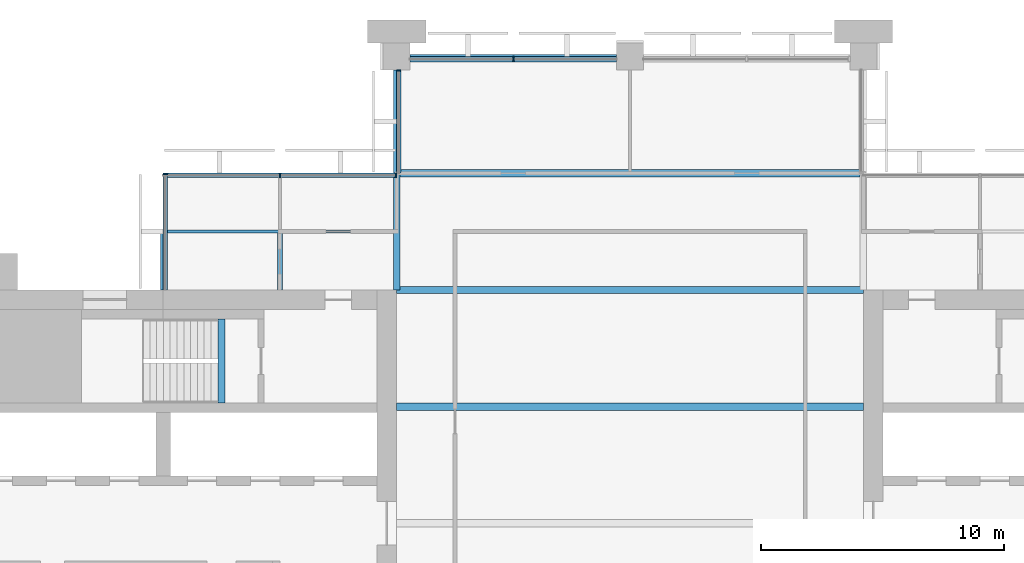
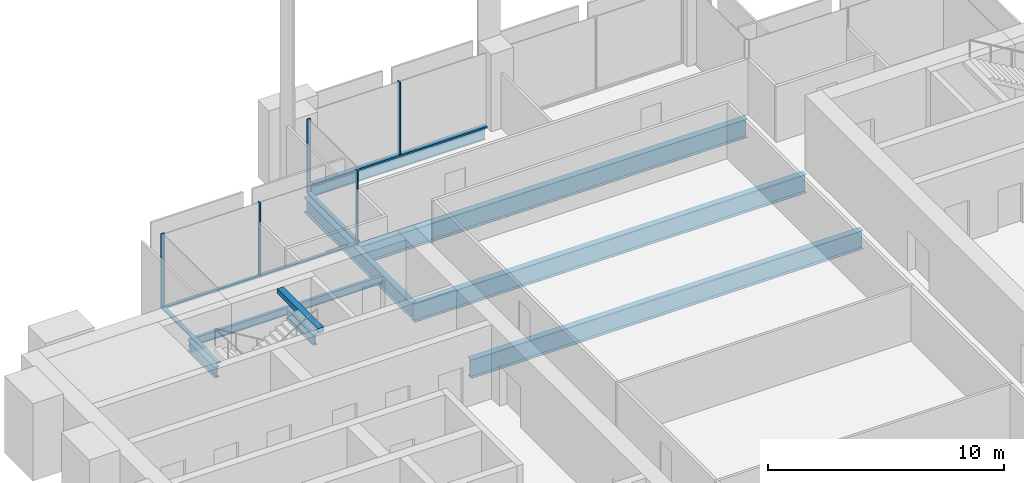
# One storey, part 5 of 13: 9 beams, 9 members, 4 elements without a shape of their own.
"""IFC4 building model written with IfcOpenShell, lengths in metres."""

from ifc_helpers import new_model, si_unit, direction, frame, origin, origin_2d, place, context, subcontext, project, spatial, rectangle, i_section, extrude, material, material_profile, profile_set, type_object, element, aggregate, save


model = new_model("IFC4")

# Units and contexts
model_context = context("Model", 3, precision=1e-05, world=origin(), true_north=direction((0.0, 1.0)))
body_context = subcontext(model_context, "Body", "Model", "MODEL_VIEW")
ifc_project = project(units=[si_unit("LENGTHUNIT", "METRE"), si_unit("AREAUNIT", "SQUARE_METRE"), si_unit("VOLUMEUNIT", "CUBIC_METRE"), si_unit("PLANEANGLEUNIT", "RADIAN"), si_unit("MASSUNIT", "GRAM", prefix="KILO")], contexts=[model_context])

# Site, building, storey
site_placement = place(None, origin())
site = spatial("IfcSite", under=ifc_project, at=site_placement, CompositionType="ELEMENT")
building_placement = place(site_placement, origin())
building = spatial("IfcBuilding", under=site, at=building_placement, Name="Baori Bourse Tower", CompositionType="ELEMENT")
storey_placement = place(building_placement, frame((0.0, 0.0, 249.199951171875)))
storey = spatial("IfcBuildingStorey", under=building, at=storey_placement, Name="L55", CompositionType="ELEMENT", Elevation=249.199951171875)

# Curtain wall, member
ifc_material_1 = material(Name="Pale anodised aluminium", Category="aluminium")
curtain_wall_type_1 = type_object("IfcCurtainWallType", Name="CW2 Curtain wall", PredefinedType="NOTDEFINED", material=ifc_material_1)
curtain_wall_1_placement = place(storey_placement, origin())
curtain_wall_1 = element("IfcCurtainWall", 1, at=curtain_wall_1_placement, inside=storey, type_object=curtain_wall_type_1, Name="Curtain wall CW2 L55 5", PredefinedType="NOTDEFINED")
ifc_material_2 = material(Name="Pale anodised aluminium", Category="aluminium")
ifc_material_profile_1 = material_profile(ifc_material_2, rectangle(XDim=0.179931640625, YDim=0.054931640625, at=origin_2d()), Name="Mullion 55x180")
ifc_profile_set_1 = profile_set([ifc_material_profile_1], Name="Pale anodised aluminium")
member_type_1 = type_object("IfcMemberType", Name="CW2 Curtain wall mullion", PredefinedType="MULLION", material=ifc_profile_set_1)
member_1_placement = place(storey_placement, frame((19.2900390625, 47.422607421875, 0.070068359375), z_axis=(0.0, 0.0, 1.0), x_axis=(1.0, 0.0, 0.0)))
member_1 = element("IfcMember", 2, at=member_1_placement, type_object=member_type_1, Name="Curtain wall CW2 mullion", PredefinedType="MULLION", context=body_context, shape_type="SweptSolid", body=[
    extrude(rectangle(XDim=0.179931640625, YDim=0.054931640625, at=origin_2d()), origin(), (0.0, 0.0, 1.0), 3.77001953125),
])

# Curtain wall, members
curtain_wall_2_placement = place(storey_placement, origin())
curtain_wall_2 = element("IfcCurtainWall", 3, at=curtain_wall_2_placement, inside=storey, type_object=curtain_wall_type_1, Name="Curtain wall CW2 L55 6", PredefinedType="NOTDEFINED")
member_2_placement = place(storey_placement, frame((19.172607421875, 43.110107421875, 0.070068359375), z_axis=(0.0, 0.0, 1.0), x_axis=(0.0, -1.0, 0.0)))
member_2 = element("IfcMember", 4, at=member_2_placement, type_object=member_type_1, Name="Curtain wall CW2 mullion", PredefinedType="MULLION", context=body_context, shape_type="SweptSolid", body=[
    extrude(rectangle(XDim=0.179931640625, YDim=0.054931640625, at=origin_2d()), origin(), (0.0, 0.0, 1.0), 3.77001953125),
])
member_3_placement = place(storey_placement, frame((14.39990234375, 43.110107421875, 0.070068359375), z_axis=(0.0, 0.0, 1.0), x_axis=(0.0, -1.0, 0.0)))
member_3 = element("IfcMember", 5, at=member_3_placement, type_object=member_type_1, Name="Curtain wall CW2 mullion", PredefinedType="MULLION", context=body_context, shape_type="SweptSolid", body=[
    extrude(rectangle(XDim=0.179931640625, YDim=0.054931640625, at=origin_2d()), origin(), (0.0, 0.0, 1.0), 3.77001953125),
])

# Curtain wall, member
curtain_wall_3_placement = place(storey_placement, origin())
curtain_wall_3 = element("IfcCurtainWall", 6, at=curtain_wall_3_placement, inside=storey, type_object=curtain_wall_type_1, Name="Curtain wall CW2 L55 7", PredefinedType="NOTDEFINED")
member_4_placement = place(storey_placement, frame((9.68994140625, 43.172607421875, 0.070068359375), z_axis=(0.0, 0.0, 1.0), x_axis=(1.0, 0.0, 0.0)))
member_4 = element("IfcMember", 7, at=member_4_placement, type_object=member_type_1, Name="Curtain wall CW2 mullion", PredefinedType="MULLION", context=body_context, shape_type="SweptSolid", body=[
    extrude(rectangle(XDim=0.179931640625, YDim=0.054931640625, at=origin_2d()), origin(), (0.0, 0.0, 1.0), 3.77001953125),
])

# Member
ifc_material_3 = material(Name="Pale anodised aluminium", Category="aluminium")
ifc_material_profile_2 = material_profile(ifc_material_3, rectangle(XDim=0.179931640625, YDim=0.070068359375, at=origin_2d()), Name="Transom 70x180")
ifc_profile_set_2 = profile_set([ifc_material_profile_2], Name="Pale anodised aluminium")
member_type_2 = type_object("IfcMemberType", Name="CW2 Curtain wall transom", PredefinedType="USERDEFINED", material=ifc_profile_set_2)
member_5_placement = place(storey_placement, frame((19.2900390625, 47.449951171875, 0.03515625), z_axis=(0.0, -1.0, 0.0), x_axis=(1.0, 0.0, 0.0)))
member_5 = element("IfcMember", 8, at=member_5_placement, type_object=member_type_2, Name="Curtain wall CW2 sill rail", ObjectType="TRANSOM", PredefinedType="USERDEFINED", context=body_context, shape_type="SweptSolid", body=[
    extrude(rectangle(XDim=0.179931640625, YDim=0.070068359375, at=origin_2d()), origin(), (0.0, 0.0, 1.0), 4.25),
])

aggregate(curtain_wall_1, [member_5, member_1])

member_6_placement = place(storey_placement, frame((19.199951171875, 43.110107421875, 0.03515625), z_axis=(-1.0, 0.0, 0.0), x_axis=(0.0, -1.0, 0.0)))
member_6 = element("IfcMember", 9, at=member_6_placement, type_object=member_type_2, Name="Curtain wall CW2 sill rail", ObjectType="TRANSOM", PredefinedType="USERDEFINED", context=body_context, shape_type="SweptSolid", body=[
    extrude(rectangle(XDim=0.179931640625, YDim=0.070068359375, at=origin_2d()), origin(), (0.0, 0.0, 1.0), 9.599853515625),
])

aggregate(curtain_wall_2, [member_6, member_2, member_3])

member_7_placement = place(storey_placement, frame((9.68994140625, 43.199951171875, 0.03515625), z_axis=(0.0, -1.0, 0.0), x_axis=(1.0, 0.0, 0.0)))
member_7 = element("IfcMember", 10, at=member_7_placement, type_object=member_type_2, Name="Curtain wall CW2 sill rail", ObjectType="TRANSOM", PredefinedType="USERDEFINED", context=body_context, shape_type="SweptSolid", body=[
    extrude(rectangle(XDim=0.179931640625, YDim=0.070068359375, at=origin_2d()), origin(), (0.0, 0.0, 1.0), 4.800048828125),
])

aggregate(curtain_wall_3, [member_7, member_4])

# Curtain wall, members
ifc_material_4 = material(Name="Pale anodised aluminium", Category="aluminium")
curtain_wall_type_2 = type_object("IfcCurtainWallType", Name="CW5 Curtain wall", PredefinedType="NOTDEFINED", material=ifc_material_4)
curtain_wall_4_placement = place(storey_placement, origin())
curtain_wall_4 = element("IfcCurtainWall", 11, at=curtain_wall_4_placement, inside=storey, type_object=curtain_wall_type_2, Name="Curtain wall CW5 L55 4", PredefinedType="NOTDEFINED")
ifc_material_5 = material(Name="Pale anodised aluminium", Category="aluminium")
ifc_material_profile_3 = material_profile(ifc_material_5, rectangle(XDim=0.219970703125, YDim=0.06494140625, at=origin_2d()), Name="Mullion 65x220")
ifc_profile_set_3 = profile_set([ifc_material_profile_3], Name="Pale anodised aluminium")
member_type_3 = type_object("IfcMemberType", Name="CW5 Curtain wall mullion", PredefinedType="MULLION", material=ifc_profile_set_3)
member_8_placement = place(storey_placement, frame((24.0, 47.889892578125, 0.0849609375), z_axis=(0.0, 0.0, 1.0), x_axis=(0.0, -1.0, 0.0)))
member_8 = element("IfcMember", 12, at=member_8_placement, type_object=member_type_3, Name="Curtain wall CW5 mullion", PredefinedType="MULLION", context=body_context, shape_type="SweptSolid", body=[
    extrude(rectangle(XDim=0.219970703125, YDim=0.06494140625, at=origin_2d()), origin(), (0.0, 0.0, 1.0), 3.755126953125),
])
ifc_material_6 = material(Name="Pale anodised aluminium", Category="aluminium")
ifc_material_profile_4 = material_profile(ifc_material_6, rectangle(XDim=0.219970703125, YDim=0.0849609375, at=origin_2d()), Name="Transom 85x220")
ifc_profile_set_4 = profile_set([ifc_material_profile_4], Name="Pale anodised aluminium")
member_type_4 = type_object("IfcMemberType", Name="CW5 Curtain wall transom", PredefinedType="USERDEFINED", material=ifc_profile_set_4)
member_9_placement = place(storey_placement, frame((28.25, 47.889892578125, 0.04248046875), z_axis=(-1.0, 0.0, 0.0), x_axis=(0.0, -1.0, 0.0)))
member_9 = element("IfcMember", 13, at=member_9_placement, type_object=member_type_4, Name="Curtain wall CW5 sill rail", ObjectType="TRANSOM", PredefinedType="USERDEFINED", context=body_context, shape_type="SweptSolid", body=[
    extrude(rectangle(XDim=0.219970703125, YDim=0.0849609375, at=origin_2d()), origin(), (0.0, 0.0, 1.0), 8.5),
])
aggregate(curtain_wall_4, [member_9, member_8])

# Beams
ifc_material_7 = material(Name="Steel A992 Gr 50", Category="steel")
ifc_material_profile_5 = material_profile(ifc_material_7, i_section(OverallWidth=0.21240234375, OverallDepth=0.54345703125, WebThickness=0.01318359375, FlangeThickness=0.021240234375, at=origin_2d()), Name="W21x83")
ifc_profile_set_5 = profile_set([ifc_material_profile_5], Name="Steel A992 Gr 50")
beam_type_1 = type_object("IfcBeamType", Name="Core bracket W21x83", PredefinedType="BEAM", material=ifc_profile_set_5)
for number, where, z_axis, x_axis, name in (
    (14, (9.60009765625, 38.39990234375, -0.431640625), (0.0, 1.0, 0.0), (-1.0, 0.0, 0.0), "Core bracket L55"),
    (15, (14.39990234375, 38.39990234375, -0.431640625), (0.0, 1.0, 0.0), (-1.0, 0.0, 0.0), "Core bracket L55"),
):
    element("IfcBeam", number, at=place(storey_placement, frame(where, z_axis=z_axis, x_axis=x_axis)), inside=storey, type_object=beam_type_1, Name=name, PredefinedType="BEAM", context=body_context, shape_type="SweptSolid", body=[
        extrude(i_section(OverallWidth=0.21240234375, OverallDepth=0.54345703125, WebThickness=0.01318359375, FlangeThickness=0.021240234375, at=origin_2d()), origin(), (0.0, 0.0, 1.0), 2.329833984375),
    ])
ifc_material_8 = material(Name="Steel A992 Gr 50", Category="steel")
ifc_material_profile_6 = material_profile(ifc_material_8, i_section(OverallWidth=0.1650390625, OverallDepth=0.52587890625, WebThickness=0.0087890625, FlangeThickness=0.011474609375, at=origin_2d()), Name="W21x44")
ifc_profile_set_6 = profile_set([ifc_material_profile_6], Name="Steel A992 Gr 50")
beam_type_2 = type_object("IfcBeamType", Name="Edge beam W21x44", PredefinedType="BEAM", material=ifc_profile_set_6)
beam_1_placement = place(storey_placement, frame((19.75, 48.0, -0.4228515625), z_axis=(1.0, 0.0, 0.0), x_axis=(0.0, 1.0, 0.0)))
element("IfcBeam", 16, at=beam_1_placement, inside=storey, type_object=beam_type_2, Name="Edge beam L55", PredefinedType="BEAM", context=body_context, shape_type="SweptSolid", body=[
    extrude(i_section(OverallWidth=0.1650390625, OverallDepth=0.52587890625, WebThickness=0.0087890625, FlangeThickness=0.011474609375, at=origin_2d()), origin(), (0.0, 0.0, 1.0), 8.5),
])
ifc_material_9 = material(Name="Steel A992 Gr 50", Category="steel")
ifc_material_profile_7 = material_profile(ifc_material_9, i_section(OverallWidth=0.2998046875, OverallDepth=0.97021484375, WebThickness=0.01611328125, FlangeThickness=0.02099609375, at=origin_2d()), Name="W40x149")
ifc_profile_set_7 = profile_set([ifc_material_profile_7], Name="Steel A992 Gr 50")
beam_type_3 = type_object("IfcBeamType", Name="Floor beam W40x149", PredefinedType="BEAM", material=ifc_profile_set_7)
for number, where, z_axis, x_axis, name in (
    (17, (19.199951171875, 33.60009765625, -0.64501953125), (1.0, 0.0, 0.0), (0.0, 1.0, 0.0), "Floor beam L55"),
    (18, (19.199951171875, 38.39990234375, -0.64501953125), (1.0, 0.0, 0.0), (0.0, 1.0, 0.0), "Floor beam L55"),
):
    element("IfcBeam", number, at=place(storey_placement, frame(where, z_axis=z_axis, x_axis=x_axis)), inside=storey, type_object=beam_type_3, Name=name, PredefinedType="BEAM", context=body_context, shape_type="SweptSolid", body=[
        extrude(i_section(OverallWidth=0.2998046875, OverallDepth=0.97021484375, WebThickness=0.01611328125, FlangeThickness=0.02099609375, at=origin_2d()), origin(), (0.0, 0.0, 1.0), 19.199951171875),
    ])
beam_2_placement = place(storey_placement, frame((19.333251953125, 43.199951171875, -0.64501953125), z_axis=(1.0, 0.0, 0.0), x_axis=(0.0, 1.0, 0.0)))
element("IfcBeam", 19, at=beam_2_placement, inside=storey, type_object=beam_type_3, Name="Floor beam L55", PredefinedType="BEAM", context=body_context, shape_type="SweptSolid", body=[
    extrude(i_section(OverallWidth=0.2998046875, OverallDepth=0.97021484375, WebThickness=0.01611328125, FlangeThickness=0.02099609375, at=origin_2d()), origin(), (0.0, 0.0, 1.0), 18.933349609375),
])
ifc_material_10 = material(Name="Steel A992 Gr 50", Category="steel")
ifc_material_profile_8 = material_profile(ifc_material_10, i_section(OverallWidth=0.2666015625, OverallDepth=0.76953125, WebThickness=0.015625, FlangeThickness=0.025390625, at=origin_2d()), Name="W30x132")
ifc_profile_set_8 = profile_set([ifc_material_profile_8], Name="Steel A992 Gr 50")
beam_type_4 = type_object("IfcBeamType", Name="Girder W30x132", PredefinedType="BEAM", material=ifc_profile_set_8)
beam_3_placement = place(storey_placement, frame((19.199951171875, 38.39990234375, -0.544677734375), z_axis=(0.0, 1.0, 0.0), x_axis=(-1.0, 0.0, 0.0)))
element("IfcBeam", 20, at=beam_3_placement, inside=storey, type_object=beam_type_4, Name="Girder L55", PredefinedType="BEAM", context=body_context, shape_type="SweptSolid", body=[
    extrude(i_section(OverallWidth=0.2666015625, OverallDepth=0.76953125, WebThickness=0.015625, FlangeThickness=0.025390625, at=origin_2d()), origin(), (0.0, 0.0, 1.0), 9.050048828125),
])
ifc_material_11 = material(Name="Concrete f'c 50 MPa", Category="concrete")
ifc_material_profile_9 = material_profile(ifc_material_11, rectangle(XDim=0.300048828125, YDim=0.25, at=origin_2d()), Name="RC 300x250")
ifc_profile_set_9 = profile_set([ifc_material_profile_9], Name="Concrete f'c 50 MPa")
beam_type_5 = type_object("IfcBeamType", Name="Stair nib beam RC 300x250", PredefinedType="BEAM", material=ifc_profile_set_9)
beam_4_placement = place(storey_placement, frame((12.0, 33.75, 3.715087890625), z_axis=(0.0, 1.0, 0.0), x_axis=(-1.0, 0.0, 0.0)))
element("IfcBeam", 21, at=beam_4_placement, inside=storey, type_object=beam_type_5, Name="Stair WB nib beam L56", PredefinedType="BEAM", context=body_context, shape_type="SweptSolid", body=[
    extrude(rectangle(XDim=0.300048828125, YDim=0.25, at=origin_2d()), origin(), (0.0, 0.0, 1.0), 3.449951171875),
])
ifc_material_12 = material(Name="Steel A992 Gr 50", Category="steel")
ifc_material_profile_10 = material_profile(ifc_material_12, i_section(OverallWidth=0.140380859375, OverallDepth=0.40380859375, WebThickness=0.007080078125, FlangeThickness=0.01123046875, at=origin_2d()), Name="W16x31")
ifc_profile_set_10 = profile_set([ifc_material_profile_10], Name="Steel A992 Gr 50")
beam_type_6 = type_object("IfcBeamType", Name="Trimmer beam W16x31", PredefinedType="BEAM", material=ifc_profile_set_10)
beam_5_placement = place(storey_placement, frame((9.60009765625, 40.800048828125, -0.36181640625), z_axis=(1.0, 0.0, 0.0), x_axis=(0.0, 1.0, 0.0)))
element("IfcBeam", 22, at=beam_5_placement, inside=storey, type_object=beam_type_6, Name="Trimmer beam L55", PredefinedType="BEAM", context=body_context, shape_type="SweptSolid", body=[
    extrude(i_section(OverallWidth=0.140380859375, OverallDepth=0.40380859375, WebThickness=0.007080078125, FlangeThickness=0.01123046875, at=origin_2d()), origin(), (0.0, 0.0, 1.0), 9.466552734375),
])

save(model, "model.ifc")
